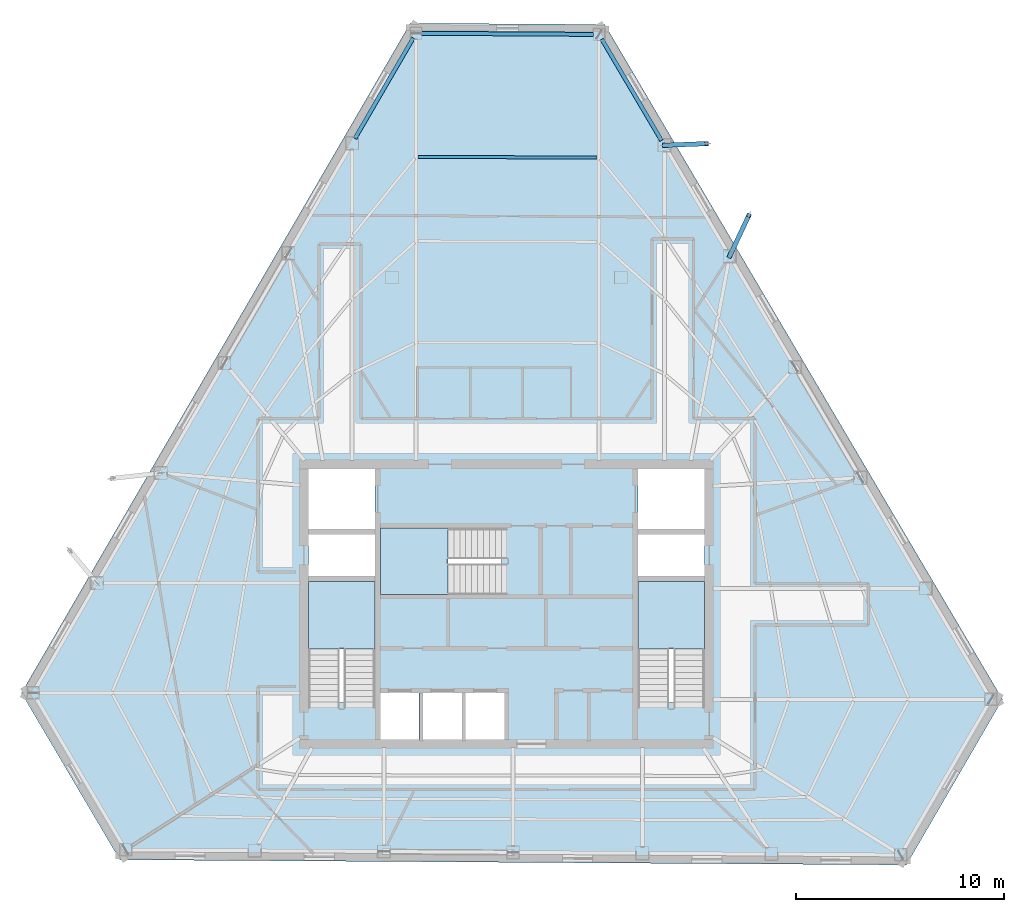
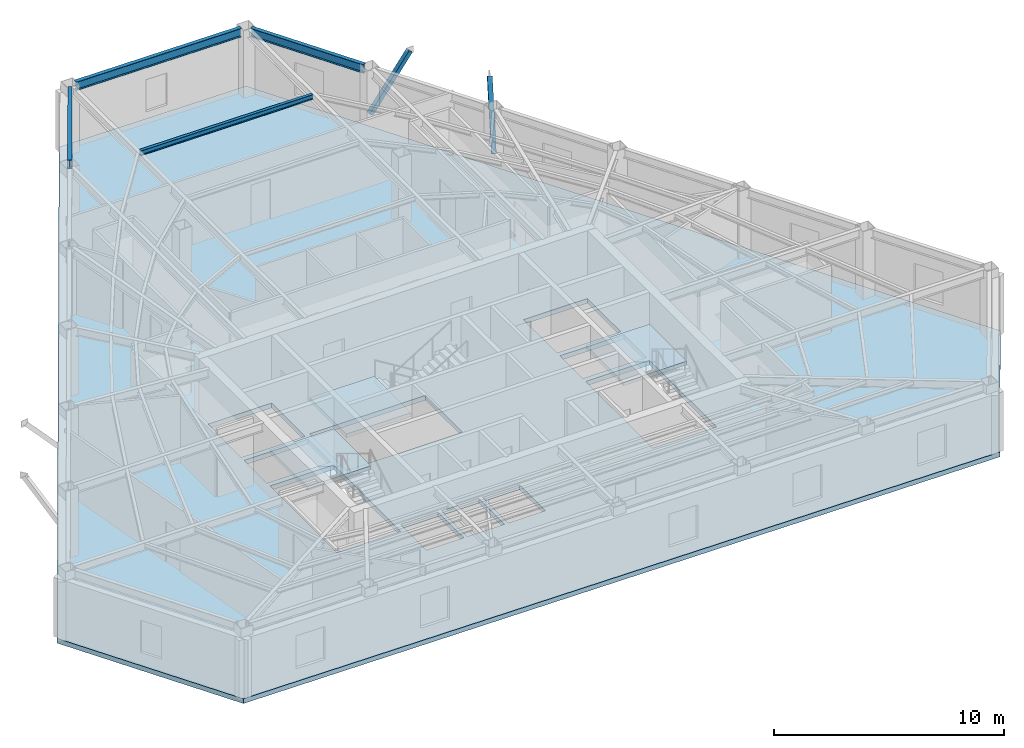
# One storey, part 3 of 11: 4 beams, 4 slabs, 2 members, 3 elements without a shape of their own.
"""IFC4 building model written with IfcOpenShell, lengths in metres."""

from ifc_helpers import new_model, si_unit, direction, frame, origin, origin_2d, place, context, subcontext, project, spatial, polyline, hollow_rectangle, i_section, outline, extrude, material, layer, layer_set, material_profile, profile_set, type_object, element, aggregate, save


model = new_model("IFC4")

# Units and contexts
model_context = context("Model", 3, precision=1e-05, world=origin(), true_north=direction((0.0, 1.0)))
body_context = subcontext(model_context, "Body", "Model", "MODEL_VIEW")
ifc_project = project(units=[si_unit("LENGTHUNIT", "METRE"), si_unit("AREAUNIT", "SQUARE_METRE"), si_unit("VOLUMEUNIT", "CUBIC_METRE"), si_unit("PLANEANGLEUNIT", "RADIAN"), si_unit("MASSUNIT", "GRAM", prefix="KILO")], contexts=[model_context])

# Site, building, storey
site_placement = place(None, origin())
site = spatial("IfcSite", under=ifc_project, at=site_placement, CompositionType="ELEMENT")
building_placement = place(site_placement, origin())
building = spatial("IfcBuilding", under=site, at=building_placement, Name="Kavelnor Concourse Tower", CompositionType="ELEMENT")
storey_placement = place(building_placement, frame((0.0, 0.0, 195.800048828125)))
storey = spatial("IfcBuildingStorey", under=building, at=storey_placement, Name="L49", CompositionType="ELEMENT", Elevation=195.800048828125)

# Beams
ifc_material_1 = material(Name="Steel Grade 350", Category="steel")
ifc_material_profile_1 = material_profile(ifc_material_1, i_section(OverallWidth=0.14599609375, OverallDepth=0.256103515625, WebThickness=0.00634765625, FlangeThickness=0.010986328125, at=origin_2d()), Name="250UB37")
ifc_profile_set_1 = profile_set([ifc_material_profile_1], Name="Steel Grade 350")
beam_type_1 = type_object("IfcBeamType", Name="BM-JOIST-250", PredefinedType="JOIST", material=ifc_profile_set_1)
beam_1_placement = place(storey_placement, frame((42.362548828125, 37.55908203125, 3.471923828125), z_axis=(-0.99998894445, 0.00470223117, 0.0), x_axis=(-0.00470223117, -0.99998894445, 0.0)))
element("IfcBeam", 1, at=beam_1_placement, inside=storey, type_object=beam_type_1, Name="L49 Secondary Composite Joist 15-3", PredefinedType="JOIST", context=body_context, shape_type="SweptSolid", body=[
    extrude(i_section(OverallWidth=0.14599609375, OverallDepth=0.256103515625, WebThickness=0.00634765625, FlangeThickness=0.010986328125, at=origin_2d()), origin(), (0.0, 0.0, 1.0), 8.61865234375),
])
ifc_material_profile_2 = material_profile(ifc_material_1, i_section(OverallWidth=0.19091796875, OverallDepth=0.4599609375, WebThickness=0.010009765625, FlangeThickness=0.01611328125, at=origin_2d()), Name="460UB82")
ifc_profile_set_2 = profile_set([ifc_material_profile_2], Name="Steel Grade 350")
beam_type_2 = type_object("IfcBeamType", Name="BM-SPANDREL-Z3", PredefinedType="SPANDREL", material=ifc_profile_set_2)
beam_2_placement = place(storey_placement, frame((33.521728515625, 43.30859375, 3.369873046875), z_axis=(-0.502107015731, -0.86480549533, 0.0), x_axis=(0.86480549533, -0.502107015731, 0.0)))
element("IfcBeam", 2, at=beam_2_placement, inside=storey, type_object=beam_type_2, Name="L49 Perimeter Tube Spandrel Beam F0-B0", PredefinedType="SPANDREL", context=body_context, shape_type="SweptSolid", body=[
    extrude(i_section(OverallWidth=0.19091796875, OverallDepth=0.4599609375, WebThickness=0.010009765625, FlangeThickness=0.01611328125, at=origin_2d()), origin(), (0.0, 0.0, 1.0), 5.57958984375),
])
beam_3_placement = place(storey_placement, frame((42.1865234375, 43.48193359375, 3.369873046875), z_axis=(-0.999978507445, 0.006556267828, 0.0), x_axis=(-0.006556267828, -0.999978507445, 0.0)))
element("IfcBeam", 3, at=beam_3_placement, inside=storey, type_object=beam_type_2, Name="L49 Chamfer Facet Spandrel Beam C0", PredefinedType="SPANDREL", context=body_context, shape_type="SweptSolid", body=[
    extrude(i_section(OverallWidth=0.19091796875, OverallDepth=0.4599609375, WebThickness=0.010009765625, FlangeThickness=0.01611328125, at=origin_2d()), origin(), (0.0, 0.0, 1.0), 8.266845703125),
])
beam_4_placement = place(storey_placement, frame((45.456298828125, 38.382080078125, 3.369873046875), z_axis=(-0.507740965848, 0.861509786131, 0.0), x_axis=(-0.861509786131, -0.507740965848, 0.0)))
element("IfcBeam", 4, at=beam_4_placement, inside=storey, type_object=beam_type_2, Name="L49 Perimeter Tube Spandrel Beam F2-B5", PredefinedType="SPANDREL", context=body_context, shape_type="SweptSolid", body=[
    extrude(i_section(OverallWidth=0.19091796875, OverallDepth=0.4599609375, WebThickness=0.010009765625, FlangeThickness=0.01611328125, at=origin_2d()), origin(), (0.0, 0.0, 1.0), 5.65283203125),
])

# Members
ifc_material_profile_3 = material_profile(ifc_material_1, hollow_rectangle(XDim=0.219970703125, YDim=0.219970703125, WallThickness=0.013916015625, at=origin_2d()), Name="SHS 220x220x14")
ifc_profile_set_3 = profile_set([ifc_material_profile_3], Name="Steel Grade 350")
member_type = type_object("IfcMemberType", Name="MBR-BALC-STRUT-220", PredefinedType="STRUT", material=ifc_profile_set_3)
member_1_placement = place(storey_placement, frame((48.730224609375, 32.82763671875, 1.050048828125), z_axis=(0.272716106447, 0.578431942552, 0.768792828479), x_axis=(-0.90450950104, 0.426453470532, 0.0)))
element("IfcMember", 5, at=member_1_placement, inside=storey, type_object=member_type, Name="L49 Tree Balcony Raking Knee Strut 1-A", PredefinedType="STRUT", context=body_context, shape_type="SweptSolid", body=[
    extrude(hollow_rectangle(XDim=0.219970703125, YDim=0.219970703125, WallThickness=0.013916015625, at=origin_2d()), origin(), (0.0, 0.0, 1.0), 3.388427734375),
])
member_2_placement = place(storey_placement, frame((45.5908203125, 38.15380859375, 1.050048828125), z_axis=(0.614690126408, 0.023940329481, 0.78840529496), x_axis=(-0.038917483664, 0.999242427775, 0.0)))
element("IfcMember", 6, at=member_2_placement, inside=storey, type_object=member_type, Name="L49 Tree Balcony Raking Knee Strut 1-B", PredefinedType="STRUT", context=body_context, shape_type="SweptSolid", body=[
    extrude(hollow_rectangle(XDim=0.219970703125, YDim=0.219970703125, WallThickness=0.013916015625, at=origin_2d()), origin(), (0.0, 0.0, 1.0), 3.30419921875),
])

# Stair, slab
ifc_material_2 = material(Name="Concrete C40/50", Category="concrete")
stair_type = type_object("IfcStairType", Name="STR-CORE-1500", PredefinedType="HALF_TURN_STAIR", material=ifc_material_2)
stair_1_placement = place(storey_placement, origin())
stair_1 = element("IfcStair", 7, at=stair_1_placement, inside=storey, type_object=stair_type, Name="L49 ST1", PredefinedType="HALF_TURN_STAIR")
ifc_layer_1 = layer(ifc_material_2, 0.199951171875, Name="Concrete C40/50")
ifc_layer_set_1 = layer_set([ifc_layer_1], Name="Concrete C40/50")
slab_type_1 = type_object("IfcSlabType", Name="SLB-LANDING-200", PredefinedType="LANDING", material=ifc_layer_set_1)
slab_1_placement = place(storey_placement, frame((0.0, 0.0, 1.724853515625)))
slab_1 = element("IfcSlab", 8, at=slab_1_placement, type_object=slab_type_1, Name="ST1 landing 1", PredefinedType="LANDING", context=body_context, shape_type="SweptSolid", body=[
    extrude(outline(polyline([(31.679931640625, 13.949951171875), (31.679931640625, 17.199951171875), (28.47998046875, 17.199951171875), (28.47998046875, 13.949951171875), (31.679931640625, 13.949951171875)])), origin(), (0.0, 0.0, 1.0), 0.2001953125),
])
aggregate(stair_1, [slab_1])

stair_2_placement = place(storey_placement, origin())
stair_2 = element("IfcStair", 9, at=stair_2_placement, inside=storey, type_object=stair_type, Name="L49 ST2", PredefinedType="HALF_TURN_STAIR")
slab_2_placement = place(storey_placement, frame((0.0, 0.0, 1.724853515625)))
slab_2 = element("IfcSlab", 10, at=slab_2_placement, type_object=slab_type_1, Name="ST2 landing 1", PredefinedType="LANDING", context=body_context, shape_type="SweptSolid", body=[
    extrude(outline(polyline([(47.52001953125, 13.949951171875), (47.52001953125, 17.199951171875), (44.320068359375, 17.199951171875), (44.320068359375, 13.949951171875), (47.52001953125, 13.949951171875)])), origin(), (0.0, 0.0, 1.0), 0.2001953125),
])
aggregate(stair_2, [slab_2])

stair_3_placement = place(storey_placement, origin())
stair_3 = element("IfcStair", 11, at=stair_3_placement, inside=storey, type_object=stair_type, Name="L49 ST3", PredefinedType="HALF_TURN_STAIR")
slab_3_placement = place(storey_placement, frame((0.0, 0.0, 1.724853515625)))
slab_3 = element("IfcSlab", 12, at=slab_3_placement, type_object=slab_type_1, Name="ST3 landing 1", PredefinedType="LANDING", context=body_context, shape_type="SweptSolid", body=[
    extrude(outline(polyline([(35.18994140625, 19.760009765625), (31.93994140625, 19.760009765625), (31.93994140625, 16.56005859375), (35.18994140625, 16.56005859375), (35.18994140625, 19.760009765625)])), origin(), (0.0, 0.0, 1.0), 0.2001953125),
])
aggregate(stair_3, [slab_3])

# Slab
ifc_layer_2 = layer(ifc_material_2, 0.25, Name="Concrete C40/50")
ifc_layer_set_2 = layer_set([ifc_layer_2], Name="Concrete C40/50")
slab_type_2 = type_object("IfcSlabType", Name="SLB-OFFICE-250", PredefinedType="FLOOR", material=ifc_layer_set_2)
slab_4_placement = place(storey_placement, frame((0.0, 0.0, -0.25)))
element("IfcSlab", 13, at=slab_4_placement, inside=storey, type_object=slab_type_2, Name="L49 Composite Structural Floor Slab", PredefinedType="FLOOR", context=body_context, shape_type="SweptSolid", body=[
    extrude(outline(polyline([(42.726806640625, 43.95849609375), (33.37939453125, 44.019775390625), (14.69189453125, 11.83349609375), (19.418701171875, 3.814208984375), (57.223388671875, 3.56591796875), (61.843994140625, 11.524169921875), (42.726806640625, 43.95849609375)]), holes=[polyline([(28.47998046875, 11.3798828125), (31.679931640625, 11.3798828125), (31.679931640625, 17.199951171875), (28.47998046875, 17.199951171875), (28.47998046875, 11.3798828125)]), polyline([(44.320068359375, 11.3798828125), (47.52001953125, 11.3798828125), (47.52001953125, 17.199951171875), (44.320068359375, 17.199951171875), (44.320068359375, 11.3798828125)]), polyline([(31.93994140625, 16.56005859375), (37.760009765625, 16.56005859375), (37.760009765625, 19.760009765625), (31.93994140625, 19.760009765625), (31.93994140625, 16.56005859375)]), polyline([(28.47998046875, 19.699951171875), (31.679931640625, 19.699951171875), (31.679931640625, 22.60009765625), (28.47998046875, 22.60009765625), (28.47998046875, 19.699951171875)]), polyline([(44.320068359375, 19.699951171875), (47.52001953125, 19.699951171875), (47.52001953125, 22.60009765625), (44.320068359375, 22.60009765625), (44.320068359375, 19.699951171875)]), polyline([(31.93994140625, 9.60009765625), (33.81005859375, 9.60009765625), (33.81005859375, 11.840087890625), (31.93994140625, 11.840087890625), (31.93994140625, 9.60009765625)]), polyline([(33.989990234375, 9.60009765625), (35.860107421875, 9.60009765625), (35.860107421875, 11.840087890625), (33.989990234375, 11.840087890625), (33.989990234375, 9.60009765625)]), polyline([(36.0400390625, 9.60009765625), (37.909912109375, 9.60009765625), (37.909912109375, 11.840087890625), (36.0400390625, 11.840087890625), (36.0400390625, 9.60009765625)]), polyline([(28.47998046875, 17.4599609375), (31.679931640625, 17.4599609375), (31.679931640625, 19.43994140625), (28.47998046875, 19.43994140625), (28.47998046875, 17.4599609375)]), polyline([(44.320068359375, 17.4599609375), (47.52001953125, 17.4599609375), (47.52001953125, 19.43994140625), (44.320068359375, 19.43994140625), (44.320068359375, 17.4599609375)])]), origin(), (0.0, 0.0, 1.0), 0.25),
])

save(model, "model.ifc")
